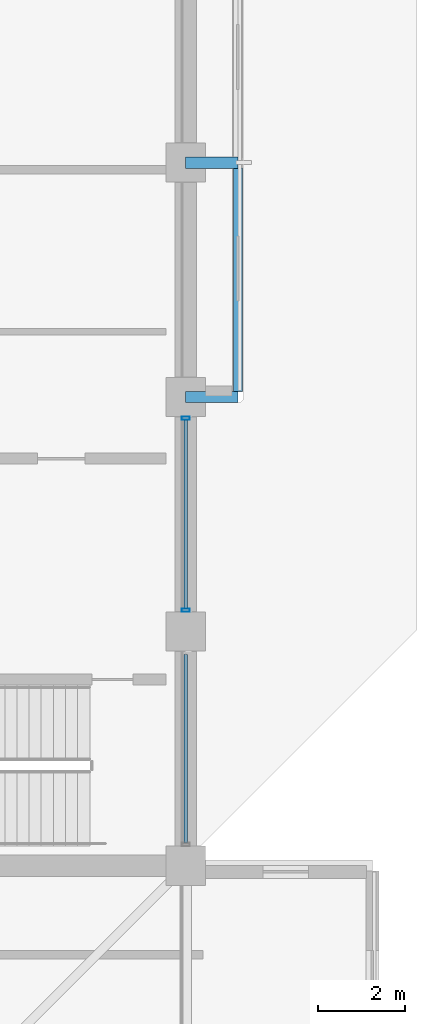
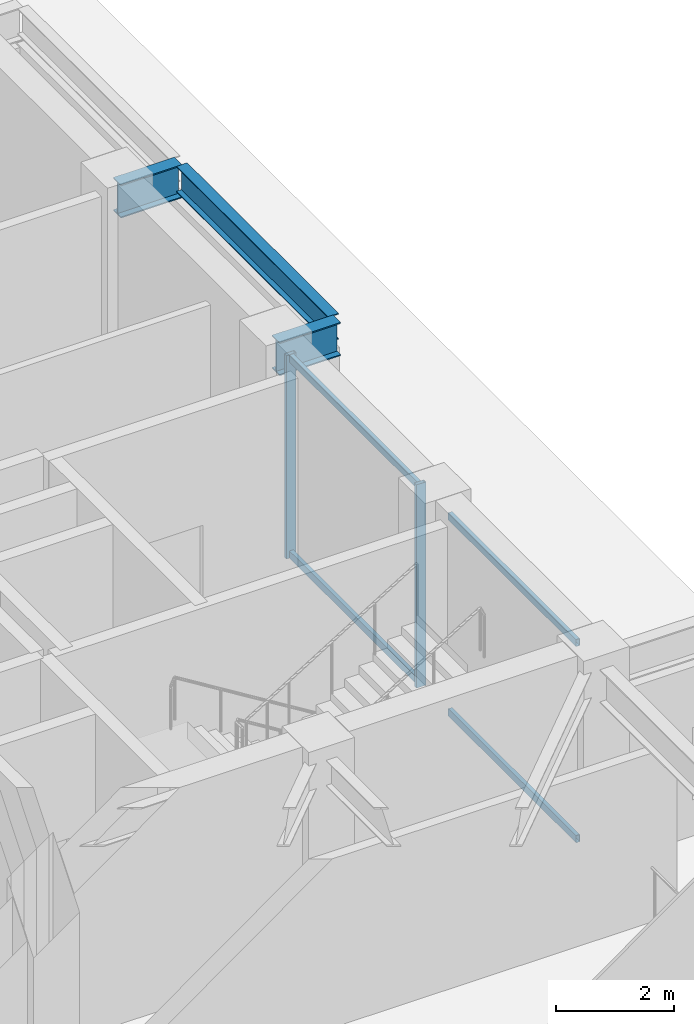
# One storey, part 7 of 22: 6 members, 3 beams, 1 element without a shape of its own.
"""IFC4 building model written with IfcOpenShell, lengths in metres."""

from ifc_helpers import new_model, si_unit, direction, frame, origin, origin_2d, place, context, subcontext, project, spatial, hollow_rectangle, i_section, extrude, material, layer, layer_set, material_profile, profile_set, type_object, element, aggregate, save


model = new_model("IFC4")

# Units and contexts
model_context = context("Model", 3, precision=1e-05, world=origin(), true_north=direction((0.0, 1.0)))
body_context = subcontext(model_context, "Body", "Model", "MODEL_VIEW")
ifc_project = project(units=[si_unit("LENGTHUNIT", "METRE"), si_unit("AREAUNIT", "SQUARE_METRE"), si_unit("VOLUMEUNIT", "CUBIC_METRE"), si_unit("PLANEANGLEUNIT", "RADIAN"), si_unit("MASSUNIT", "GRAM", prefix="KILO")], contexts=[model_context])

# Site, building, storey
site_placement = place(None, origin())
site = spatial("IfcSite", under=ifc_project, at=site_placement, CompositionType="ELEMENT")
building_placement = place(site_placement, origin())
building = spatial("IfcBuilding", under=site, at=building_placement, Name="Surkhivell Harbour Commons", CompositionType="ELEMENT")
storey_placement = place(building_placement, frame((0.0, 0.0, 337.5)))
storey = spatial("IfcBuildingStorey", under=building, at=storey_placement, Name="L88", CompositionType="ELEMENT", Elevation=337.5)

# Beams
ifc_material_1 = material(Name="Steel S460", Category="steel")
ifc_material_profile_1 = material_profile(ifc_material_1, i_section(OverallWidth=0.256103515625, OverallDepth=0.693115234375, WebThickness=0.014404296875, FlangeThickness=0.023681640625, at=origin_2d()), Name="UB686x254x170")
ifc_profile_set_1 = profile_set([ifc_material_profile_1], Name="Steel S460")
beam_type_1 = type_object("IfcBeamType", Name="BM-CNT-686", PredefinedType="BEAM", material=ifc_profile_set_1)
for number, where, z_axis, x_axis, name in (
    (1, (10.800048828125, 0.0, 3.87353515625), (1.0, 0.0, 0.0), (0.0, 1.0, 0.0), "L88 Box Cantilever Outrigger (10.8,0.0)"),
    (2, (10.800048828125, 5.39990234375, 3.87353515625), (1.0, 0.0, 0.0), (0.0, 1.0, 0.0), "L88 Box Cantilever Outrigger (10.8,5.4)"),
):
    element("IfcBeam", number, at=place(storey_placement, frame(where, z_axis=z_axis, x_axis=x_axis)), inside=storey, type_object=beam_type_1, Name=name, PredefinedType="BEAM", context=body_context, shape_type="SweptSolid", body=[
        extrude(i_section(OverallWidth=0.256103515625, OverallDepth=0.693115234375, WebThickness=0.014404296875, FlangeThickness=0.023681640625, at=origin_2d()), origin(), (0.0, 0.0, 1.0), 1.199951171875),
    ])
ifc_material_2 = material(Name="Steel S355", Category="steel")
ifc_material_profile_2 = material_profile(ifc_material_2, i_section(OverallWidth=0.2099609375, OverallDepth=0.537109375, WebThickness=0.0107421875, FlangeThickness=0.017333984375, at=origin_2d()), Name="UB533x210x101")
ifc_profile_set_2 = profile_set([ifc_material_profile_2], Name="Steel S355")
beam_type_2 = type_object("IfcBeamType", Name="BM-GRD-533B", PredefinedType="BEAM", material=ifc_profile_set_2)
beam_placement = place(storey_placement, frame((12.0, 0.1220703125, 3.951416015625), z_axis=(0.0, 1.0, 0.0), x_axis=(-1.0, 0.0, 0.0)))
element("IfcBeam", 3, at=beam_placement, inside=storey, type_object=beam_type_2, Name="L88 Box Rim Spandrel (12.0,0.0)", PredefinedType="BEAM", context=body_context, shape_type="SweptSolid", body=[
    extrude(i_section(OverallWidth=0.2099609375, OverallDepth=0.537109375, WebThickness=0.0107421875, FlangeThickness=0.017333984375, at=origin_2d()), origin(), (0.0, 0.0, 1.0), 5.156005859375),
])

# Curtain wall, members
ifc_material_3 = material(Name="Anodised pale-metal aluminium and insulated glazing", Category="aluminium")
ifc_layer = layer(ifc_material_3, 0.22998046875)
ifc_layer_set = layer_set([ifc_layer], Name="Anodised pale-metal aluminium and insulated glazing")
curtain_wall_type = type_object("IfcCurtainWallType", Name="CW-SYS-CRN", PredefinedType="NOTDEFINED", material=ifc_layer_set)
curtain_wall_placement = place(storey_placement, origin())
curtain_wall = element("IfcCurtainWall", 4, at=curtain_wall_placement, inside=storey, type_object=curtain_wall_type, Name="L88 Curtain Wall CW-L88-C01S1", PredefinedType="NOTDEFINED")
ifc_material_4 = material(Name="Anodised pale-metal aluminium alloy 6063-T6", Category="aluminium")
ifc_material_profile_3 = material_profile(ifc_material_4, hollow_rectangle(XDim=0.074951171875, YDim=0.18994140625, WallThickness=0.00390625, at=origin_2d()), Name="ALU-MULL-75x190")
ifc_profile_set_3 = profile_set([ifc_material_profile_3], Name="Anodised pale-metal aluminium alloy 6063-T6")
member_type_1 = type_object("IfcMemberType", Name="CWM-190", PredefinedType="MULLION", material=ifc_profile_set_3)
member_1_placement = place(storey_placement, frame((10.800048828125, -4.910400390625, 0.0), z_axis=(0.0, 0.0, 1.0), x_axis=(0.0, 1.0, 0.0)))
member_1 = element("IfcMember", 5, at=member_1_placement, type_object=member_type_1, Name="CW-CRN mullion 2", PredefinedType="MULLION", context=body_context, shape_type="SweptSolid", body=[
    extrude(hollow_rectangle(XDim=0.074951171875, YDim=0.18994140625, WallThickness=0.00390625, at=origin_2d()), origin(), (0.0, 0.0, 1.0), 4.219970703125),
])
member_2_placement = place(storey_placement, frame((10.800048828125, -0.489501953125, 0.0), z_axis=(0.0, 0.0, 1.0), x_axis=(0.0, 1.0, 0.0)))
member_2 = element("IfcMember", 6, at=member_2_placement, type_object=member_type_1, Name="CW-CRN mullion 3", PredefinedType="MULLION", context=body_context, shape_type="SweptSolid", body=[
    extrude(hollow_rectangle(XDim=0.074951171875, YDim=0.18994140625, WallThickness=0.00390625, at=origin_2d()), origin(), (0.0, 0.0, 1.0), 4.219970703125),
])
ifc_material_profile_4 = material_profile(ifc_material_4, hollow_rectangle(XDim=0.074951171875, YDim=0.14990234375, WallThickness=0.00341796875, at=origin_2d()), Name="ALU-TRAN-75x150")
ifc_profile_set_4 = profile_set([ifc_material_profile_4], Name="Anodised pale-metal aluminium alloy 6063-T6")
member_type_2 = type_object("IfcMemberType", Name="CWT-150", PredefinedType="USERDEFINED", material=ifc_profile_set_4)
member_3_placement = place(storey_placement, frame((10.800048828125, -10.27294921875, 0.074951171875), z_axis=(0.0, 1.0, 0.0), x_axis=(-1.0, 0.0, 0.0)))
member_3 = element("IfcMember", 7, at=member_3_placement, type_object=member_type_2, Name="CW-CRN transom 1.1", ObjectType="TRANSOM", PredefinedType="USERDEFINED", context=body_context, shape_type="SweptSolid", body=[
    extrude(hollow_rectangle(XDim=0.074951171875, YDim=0.14990234375, WallThickness=0.00341796875, at=origin_2d()), origin(), (0.0, 0.0, 1.0), 4.345947265625),
])
member_4_placement = place(storey_placement, frame((10.800048828125, -10.27294921875, 4.14501953125), z_axis=(0.0, 1.0, 0.0), x_axis=(-1.0, 0.0, 0.0)))
member_4 = element("IfcMember", 8, at=member_4_placement, type_object=member_type_2, Name="CW-CRN transom 1.2", ObjectType="TRANSOM", PredefinedType="USERDEFINED", context=body_context, shape_type="SweptSolid", body=[
    extrude(hollow_rectangle(XDim=0.074951171875, YDim=0.14990234375, WallThickness=0.00341796875, at=origin_2d()), origin(), (0.0, 0.0, 1.0), 4.345947265625),
])
member_5_placement = place(storey_placement, frame((10.800048828125, -4.873046875, 0.074951171875), z_axis=(0.0, 1.0, 0.0), x_axis=(-1.0, 0.0, 0.0)))
member_5 = element("IfcMember", 9, at=member_5_placement, type_object=member_type_2, Name="CW-CRN transom 2.1", ObjectType="TRANSOM", PredefinedType="USERDEFINED", context=body_context, shape_type="SweptSolid", body=[
    extrude(hollow_rectangle(XDim=0.074951171875, YDim=0.14990234375, WallThickness=0.00341796875, at=origin_2d()), origin(), (0.0, 0.0, 1.0), 4.345947265625),
])
member_6_placement = place(storey_placement, frame((10.800048828125, -4.873046875, 4.14501953125), z_axis=(0.0, 1.0, 0.0), x_axis=(-1.0, 0.0, 0.0)))
member_6 = element("IfcMember", 10, at=member_6_placement, type_object=member_type_2, Name="CW-CRN transom 2.2", ObjectType="TRANSOM", PredefinedType="USERDEFINED", context=body_context, shape_type="SweptSolid", body=[
    extrude(hollow_rectangle(XDim=0.074951171875, YDim=0.14990234375, WallThickness=0.00341796875, at=origin_2d()), origin(), (0.0, 0.0, 1.0), 4.345947265625),
])
aggregate(curtain_wall, [member_3, member_4, member_1, member_2, member_5, member_6])

save(model, "model.ifc")
